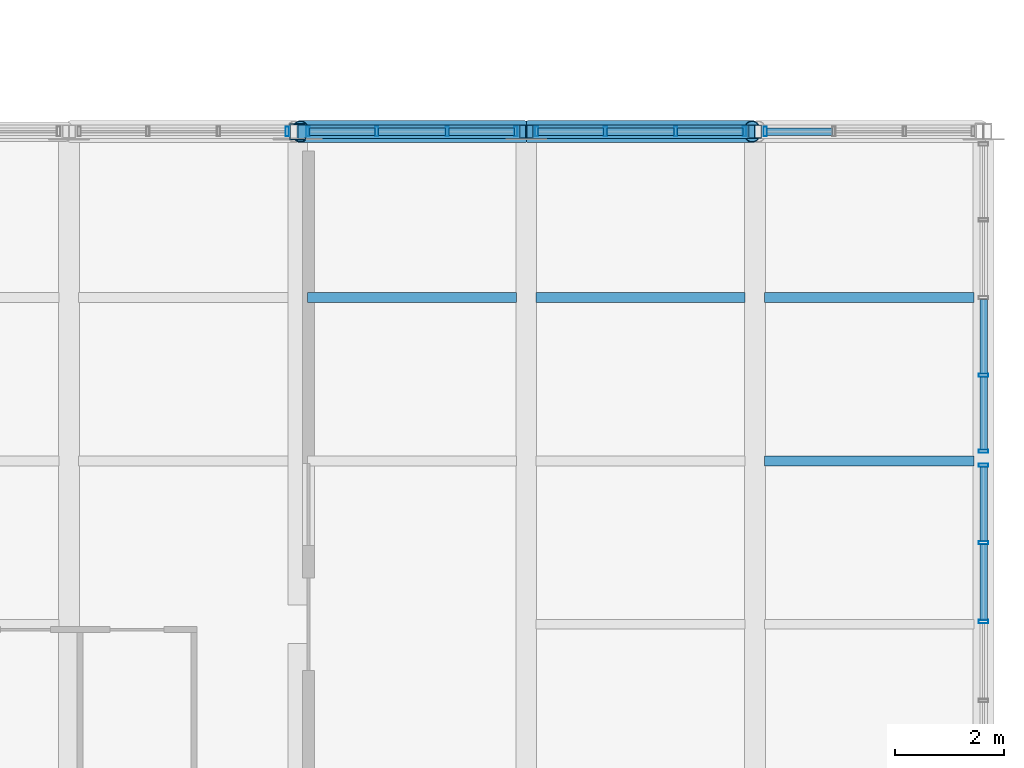
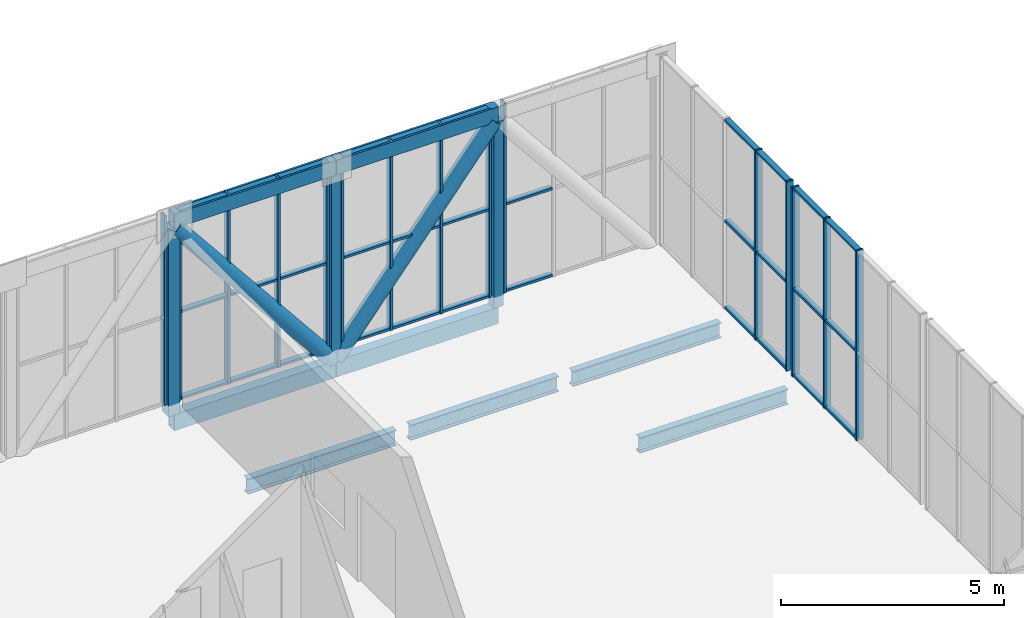
# One storey, part 41 of 58: 56 members, 4 beams, 6 elements without a shape of their own.
"""IFC4 building model written with IfcOpenShell, lengths in metres."""

from ifc_helpers import new_model, si_unit, direction, frame, origin, origin_2d, place, context, subcontext, project, spatial, hollow_rectangle, hollow_circle, i_section, extrude, material, material_profile, profile_set, type_object, element, aggregate, save


model = new_model("IFC4")

# Units and contexts
model_context = context("Model", 3, precision=1e-05, world=origin(), true_north=direction((0.0, 1.0)))
body_context = subcontext(model_context, "Body", "Model", "MODEL_VIEW")
ifc_project = project(units=[si_unit("LENGTHUNIT", "METRE"), si_unit("AREAUNIT", "SQUARE_METRE"), si_unit("VOLUMEUNIT", "CUBIC_METRE"), si_unit("PLANEANGLEUNIT", "RADIAN"), si_unit("MASSUNIT", "GRAM", prefix="KILO")], contexts=[model_context])

# Site, building, storey
site_placement = place(None, origin())
site = spatial("IfcSite", under=ifc_project, at=site_placement, CompositionType="ELEMENT")
building_placement = place(site_placement, origin())
building = spatial("IfcBuilding", under=site, at=building_placement, Name="Khurvash Pelagic Aquarium", CompositionType="ELEMENT")
storey_placement = place(building_placement, frame((0.0, 0.0, 24.60009765625)))
storey = spatial("IfcBuildingStorey", under=building, at=storey_placement, Name="L05", CompositionType="ELEMENT", Elevation=24.60009765625)

# Curtain wall, member
ifc_material_1 = material(Name="Anodised aluminium and low-E laminated glass", Category="aluminium")
curtain_wall_type_1 = type_object("IfcCurtainWallType", Name="CW-01", PredefinedType="USERDEFINED", material=ifc_material_1)
curtain_wall_1_placement = place(storey_placement, origin())
curtain_wall_1 = element("IfcCurtainWall", 1, at=curtain_wall_1_placement, inside=storey, type_object=curtain_wall_type_1, Name="L05 North Sky-Bar Unitised Curtain Wall CW-01 P23", ObjectType="UNITISED CURTAIN WALL", PredefinedType="USERDEFINED")
ifc_material_2 = material(Name="Extruded aluminium AW-6063-T6", Category="aluminium")
ifc_material_profile_1 = material_profile(ifc_material_2, hollow_rectangle(XDim=0.06005859375, YDim=0.179931640625, WallThickness=0.00390625, at=origin_2d()), Name="CWM60X180X4")
ifc_profile_set_1 = profile_set([ifc_material_profile_1], Name="Extruded aluminium AW-6063-T6")
member_type_1 = type_object("IfcMemberType", Name="CM-01", PredefinedType="MULLION", material=ifc_profile_set_1)
member_1_placement = place(storey_placement, frame((109.010009765625, 29.75, 0.0), z_axis=(0.0, 0.0, 1.0), x_axis=(1.0, 0.0, 0.0)))
member_1 = element("IfcMember", 2, at=member_1_placement, type_object=member_type_1, Name="CW-01 mullion 4", PredefinedType="MULLION", context=body_context, shape_type="SweptSolid", body=[
    extrude(hollow_rectangle(XDim=0.06005859375, YDim=0.179931640625, WallThickness=0.00390625, at=origin_2d()), origin(), (0.0, 0.0, 1.0), 5.179931640625),
])
aggregate(curtain_wall_1, [member_1])

# Curtain wall, members
curtain_wall_2_placement = place(storey_placement, origin())
curtain_wall_2 = element("IfcCurtainWall", 3, at=curtain_wall_2_placement, inside=storey, type_object=curtain_wall_type_1, Name="L05 North Sky-Bar Unitised Curtain Wall CW-01 P24", ObjectType="UNITISED CURTAIN WALL", PredefinedType="USERDEFINED")
member_2_placement = place(storey_placement, frame((109.389892578125, 29.75, 0.0), z_axis=(0.0, 0.0, 1.0), x_axis=(1.0, 0.0, 0.0)))
member_2 = element("IfcMember", 4, at=member_2_placement, type_object=member_type_1, Name="CW-01 mullion 1", PredefinedType="MULLION", context=body_context, shape_type="SweptSolid", body=[
    extrude(hollow_rectangle(XDim=0.06005859375, YDim=0.179931640625, WallThickness=0.00390625, at=origin_2d()), origin(), (0.0, 0.0, 1.0), 5.179931640625),
])
member_3_placement = place(storey_placement, frame((110.6533203125, 29.75, 0.0), z_axis=(0.0, 0.0, 1.0), x_axis=(1.0, 0.0, 0.0)))
member_3 = element("IfcMember", 5, at=member_3_placement, type_object=member_type_1, Name="CW-01 mullion 2", PredefinedType="MULLION", context=body_context, shape_type="SweptSolid", body=[
    extrude(hollow_rectangle(XDim=0.06005859375, YDim=0.179931640625, WallThickness=0.00390625, at=origin_2d()), origin(), (0.0, 0.0, 1.0), 5.179931640625),
])
member_4_placement = place(storey_placement, frame((111.94677734375, 29.75, 0.0), z_axis=(0.0, 0.0, 1.0), x_axis=(1.0, 0.0, 0.0)))
member_4 = element("IfcMember", 6, at=member_4_placement, type_object=member_type_1, Name="CW-01 mullion 3", PredefinedType="MULLION", context=body_context, shape_type="SweptSolid", body=[
    extrude(hollow_rectangle(XDim=0.06005859375, YDim=0.179931640625, WallThickness=0.00390625, at=origin_2d()), origin(), (0.0, 0.0, 1.0), 5.179931640625),
])
member_5_placement = place(storey_placement, frame((113.2099609375, 29.75, 0.0), z_axis=(0.0, 0.0, 1.0), x_axis=(1.0, 0.0, 0.0)))
member_5 = element("IfcMember", 7, at=member_5_placement, type_object=member_type_1, Name="CW-01 mullion 4", PredefinedType="MULLION", context=body_context, shape_type="SweptSolid", body=[
    extrude(hollow_rectangle(XDim=0.06005859375, YDim=0.179931640625, WallThickness=0.00390625, at=origin_2d()), origin(), (0.0, 0.0, 1.0), 5.179931640625),
])

curtain_wall_3_placement = place(storey_placement, origin())
curtain_wall_3 = element("IfcCurtainWall", 8, at=curtain_wall_3_placement, inside=storey, type_object=curtain_wall_type_1, Name="L05 North Sky-Bar Unitised Curtain Wall CW-01 P25", ObjectType="UNITISED CURTAIN WALL", PredefinedType="USERDEFINED")
member_6_placement = place(storey_placement, frame((113.590087890625, 29.75, 0.0), z_axis=(0.0, 0.0, 1.0), x_axis=(1.0, 0.0, 0.0)))
member_6 = element("IfcMember", 9, at=member_6_placement, type_object=member_type_1, Name="CW-01 mullion 1", PredefinedType="MULLION", context=body_context, shape_type="SweptSolid", body=[
    extrude(hollow_rectangle(XDim=0.06005859375, YDim=0.179931640625, WallThickness=0.00390625, at=origin_2d()), origin(), (0.0, 0.0, 1.0), 5.179931640625),
])
member_7_placement = place(storey_placement, frame((114.853271484375, 29.75, 0.0), z_axis=(0.0, 0.0, 1.0), x_axis=(1.0, 0.0, 0.0)))
member_7 = element("IfcMember", 10, at=member_7_placement, type_object=member_type_1, Name="CW-01 mullion 2", PredefinedType="MULLION", context=body_context, shape_type="SweptSolid", body=[
    extrude(hollow_rectangle(XDim=0.06005859375, YDim=0.179931640625, WallThickness=0.00390625, at=origin_2d()), origin(), (0.0, 0.0, 1.0), 5.179931640625),
])
member_8_placement = place(storey_placement, frame((116.146728515625, 29.75, 0.0), z_axis=(0.0, 0.0, 1.0), x_axis=(1.0, 0.0, 0.0)))
member_8 = element("IfcMember", 11, at=member_8_placement, type_object=member_type_1, Name="CW-01 mullion 3", PredefinedType="MULLION", context=body_context, shape_type="SweptSolid", body=[
    extrude(hollow_rectangle(XDim=0.06005859375, YDim=0.179931640625, WallThickness=0.00390625, at=origin_2d()), origin(), (0.0, 0.0, 1.0), 5.179931640625),
])
member_9_placement = place(storey_placement, frame((117.409912109375, 29.75, 0.0), z_axis=(0.0, 0.0, 1.0), x_axis=(1.0, 0.0, 0.0)))
member_9 = element("IfcMember", 12, at=member_9_placement, type_object=member_type_1, Name="CW-01 mullion 4", PredefinedType="MULLION", context=body_context, shape_type="SweptSolid", body=[
    extrude(hollow_rectangle(XDim=0.06005859375, YDim=0.179931640625, WallThickness=0.00390625, at=origin_2d()), origin(), (0.0, 0.0, 1.0), 5.179931640625),
])

# Curtain wall, member
curtain_wall_4_placement = place(storey_placement, origin())
curtain_wall_4 = element("IfcCurtainWall", 13, at=curtain_wall_4_placement, inside=storey, type_object=curtain_wall_type_1, Name="L05 North Sky-Bar Unitised Curtain Wall CW-01 P26", ObjectType="UNITISED CURTAIN WALL", PredefinedType="USERDEFINED")
member_10_placement = place(storey_placement, frame((117.7900390625, 29.75, 0.0), z_axis=(0.0, 0.0, 1.0), x_axis=(1.0, 0.0, 0.0)))
member_10 = element("IfcMember", 14, at=member_10_placement, type_object=member_type_1, Name="CW-01 mullion 1", PredefinedType="MULLION", context=body_context, shape_type="SweptSolid", body=[
    extrude(hollow_rectangle(XDim=0.06005859375, YDim=0.179931640625, WallThickness=0.00390625, at=origin_2d()), origin(), (0.0, 0.0, 1.0), 5.179931640625),
])

# Curtain wall, members
curtain_wall_type_2 = type_object("IfcCurtainWallType", Name="CW-04", PredefinedType="USERDEFINED", material=ifc_material_1)
curtain_wall_5_placement = place(storey_placement, origin())
curtain_wall_5 = element("IfcCurtainWall", 15, at=curtain_wall_5_placement, inside=storey, type_object=curtain_wall_type_2, Name="L05 East Cantilever Overlook Curtain Wall CW-04", ObjectType="UNITISED CURTAIN WALL", PredefinedType="USERDEFINED")
member_11_placement = place(storey_placement, frame((121.800048828125, 20.75, 0.0), z_axis=(0.0, 0.0, 1.0), x_axis=(0.0, 1.0, 0.0)))
member_11 = element("IfcMember", 16, at=member_11_placement, type_object=member_type_1, Name="CW-04 mullion 3", PredefinedType="MULLION", context=body_context, shape_type="SweptSolid", body=[
    extrude(hollow_rectangle(XDim=0.06005859375, YDim=0.179931640625, WallThickness=0.00390625, at=origin_2d()), origin(), (0.0, 0.0, 1.0), 5.179931640625),
])
member_12_placement = place(storey_placement, frame((121.800048828125, 22.199951171875, 0.0), z_axis=(0.0, 0.0, 1.0), x_axis=(0.0, 1.0, 0.0)))
member_12 = element("IfcMember", 17, at=member_12_placement, type_object=member_type_1, Name="CW-04 mullion 4", PredefinedType="MULLION", context=body_context, shape_type="SweptSolid", body=[
    extrude(hollow_rectangle(XDim=0.06005859375, YDim=0.179931640625, WallThickness=0.00390625, at=origin_2d()), origin(), (0.0, 0.0, 1.0), 5.179931640625),
])
member_13_placement = place(storey_placement, frame((121.800048828125, 23.6201171875, 0.0), z_axis=(0.0, 0.0, 1.0), x_axis=(0.0, 1.0, 0.0)))
member_13 = element("IfcMember", 18, at=member_13_placement, type_object=member_type_1, Name="CW-04 mullion 5", PredefinedType="MULLION", context=body_context, shape_type="SweptSolid", body=[
    extrude(hollow_rectangle(XDim=0.06005859375, YDim=0.179931640625, WallThickness=0.00390625, at=origin_2d()), origin(), (0.0, 0.0, 1.0), 5.179931640625),
])

curtain_wall_6_placement = place(storey_placement, origin())
curtain_wall_6 = element("IfcCurtainWall", 19, at=curtain_wall_6_placement, inside=storey, type_object=curtain_wall_type_2, Name="L05 East Cantilever Overlook Curtain Wall CW-04", ObjectType="UNITISED CURTAIN WALL", PredefinedType="USERDEFINED")
member_14_placement = place(storey_placement, frame((121.800048828125, 23.8798828125, 0.0), z_axis=(0.0, 0.0, 1.0), x_axis=(0.0, 1.0, 0.0)))
member_14 = element("IfcMember", 20, at=member_14_placement, type_object=member_type_1, Name="CW-04 mullion 1", PredefinedType="MULLION", context=body_context, shape_type="SweptSolid", body=[
    extrude(hollow_rectangle(XDim=0.06005859375, YDim=0.179931640625, WallThickness=0.00390625, at=origin_2d()), origin(), (0.0, 0.0, 1.0), 5.179931640625),
])
member_15_placement = place(storey_placement, frame((121.800048828125, 25.27490234375, 0.0), z_axis=(0.0, 0.0, 1.0), x_axis=(0.0, 1.0, 0.0)))
member_15 = element("IfcMember", 21, at=member_15_placement, type_object=member_type_1, Name="CW-04 mullion 2", PredefinedType="MULLION", context=body_context, shape_type="SweptSolid", body=[
    extrude(hollow_rectangle(XDim=0.06005859375, YDim=0.179931640625, WallThickness=0.00390625, at=origin_2d()), origin(), (0.0, 0.0, 1.0), 5.179931640625),
])

# Member
ifc_material_profile_2 = material_profile(ifc_material_2, hollow_rectangle(XDim=0.139892578125, YDim=0.06005859375, WallThickness=0.00390625, at=origin_2d()), Name="CWT140X60X4")
ifc_profile_set_2 = profile_set([ifc_material_profile_2], Name="Extruded aluminium AW-6063-T6")
member_type_2 = type_object("IfcMemberType", Name="CT-01", PredefinedType="USERDEFINED", material=ifc_profile_set_2)
member_16_placement = place(storey_placement, frame((109.419921875, 29.75, 0.02978515625), z_axis=(1.0, 0.0, 0.0), x_axis=(0.0, 1.0, 0.0)))
member_16 = element("IfcMember", 22, at=member_16_placement, type_object=member_type_2, Name="CW-01 transom 1.1", ObjectType="TRANSOM", PredefinedType="USERDEFINED", context=body_context, shape_type="SweptSolid", body=[
    extrude(hollow_rectangle(XDim=0.139892578125, YDim=0.06005859375, WallThickness=0.00390625, at=origin_2d()), origin(), (0.0, 0.0, 1.0), 1.203369140625),
])

member_17_placement = place(storey_placement, frame((109.419921875, 29.75, 2.39990234375), z_axis=(1.0, 0.0, 0.0), x_axis=(0.0, 1.0, 0.0)))
member_17 = element("IfcMember", 23, at=member_17_placement, type_object=member_type_2, Name="CW-01 transom 1.2", ObjectType="TRANSOM", PredefinedType="USERDEFINED", context=body_context, shape_type="SweptSolid", body=[
    extrude(hollow_rectangle(XDim=0.139892578125, YDim=0.06005859375, WallThickness=0.00390625, at=origin_2d()), origin(), (0.0, 0.0, 1.0), 1.203369140625),
])

member_18_placement = place(storey_placement, frame((109.419921875, 29.75, 5.14990234375), z_axis=(1.0, 0.0, 0.0), x_axis=(0.0, 1.0, 0.0)))
member_18 = element("IfcMember", 24, at=member_18_placement, type_object=member_type_2, Name="CW-01 transom 1.3", ObjectType="TRANSOM", PredefinedType="USERDEFINED", context=body_context, shape_type="SweptSolid", body=[
    extrude(hollow_rectangle(XDim=0.139892578125, YDim=0.06005859375, WallThickness=0.00390625, at=origin_2d()), origin(), (0.0, 0.0, 1.0), 1.203369140625),
])

member_19_placement = place(storey_placement, frame((110.683349609375, 29.75, 0.02978515625), z_axis=(1.0, 0.0, 0.0), x_axis=(0.0, 1.0, 0.0)))
member_19 = element("IfcMember", 25, at=member_19_placement, type_object=member_type_2, Name="CW-01 transom 2.1", ObjectType="TRANSOM", PredefinedType="USERDEFINED", context=body_context, shape_type="SweptSolid", body=[
    extrude(hollow_rectangle(XDim=0.139892578125, YDim=0.06005859375, WallThickness=0.00390625, at=origin_2d()), origin(), (0.0, 0.0, 1.0), 1.2333984375),
])

member_20_placement = place(storey_placement, frame((110.683349609375, 29.75, 2.39990234375), z_axis=(1.0, 0.0, 0.0), x_axis=(0.0, 1.0, 0.0)))
member_20 = element("IfcMember", 26, at=member_20_placement, type_object=member_type_2, Name="CW-01 transom 2.2", ObjectType="TRANSOM", PredefinedType="USERDEFINED", context=body_context, shape_type="SweptSolid", body=[
    extrude(hollow_rectangle(XDim=0.139892578125, YDim=0.06005859375, WallThickness=0.00390625, at=origin_2d()), origin(), (0.0, 0.0, 1.0), 1.2333984375),
])

member_21_placement = place(storey_placement, frame((110.683349609375, 29.75, 5.14990234375), z_axis=(1.0, 0.0, 0.0), x_axis=(0.0, 1.0, 0.0)))
member_21 = element("IfcMember", 27, at=member_21_placement, type_object=member_type_2, Name="CW-01 transom 2.3", ObjectType="TRANSOM", PredefinedType="USERDEFINED", context=body_context, shape_type="SweptSolid", body=[
    extrude(hollow_rectangle(XDim=0.139892578125, YDim=0.06005859375, WallThickness=0.00390625, at=origin_2d()), origin(), (0.0, 0.0, 1.0), 1.2333984375),
])

member_22_placement = place(storey_placement, frame((111.9765625, 29.75, 0.02978515625), z_axis=(1.0, 0.0, 0.0), x_axis=(0.0, 1.0, 0.0)))
member_22 = element("IfcMember", 28, at=member_22_placement, type_object=member_type_2, Name="CW-01 transom 3.1", ObjectType="TRANSOM", PredefinedType="USERDEFINED", context=body_context, shape_type="SweptSolid", body=[
    extrude(hollow_rectangle(XDim=0.139892578125, YDim=0.06005859375, WallThickness=0.00390625, at=origin_2d()), origin(), (0.0, 0.0, 1.0), 1.203369140625),
])

member_23_placement = place(storey_placement, frame((111.9765625, 29.75, 2.39990234375), z_axis=(1.0, 0.0, 0.0), x_axis=(0.0, 1.0, 0.0)))
member_23 = element("IfcMember", 29, at=member_23_placement, type_object=member_type_2, Name="CW-01 transom 3.2", ObjectType="TRANSOM", PredefinedType="USERDEFINED", context=body_context, shape_type="SweptSolid", body=[
    extrude(hollow_rectangle(XDim=0.139892578125, YDim=0.06005859375, WallThickness=0.00390625, at=origin_2d()), origin(), (0.0, 0.0, 1.0), 1.203369140625),
])

member_24_placement = place(storey_placement, frame((111.9765625, 29.75, 5.14990234375), z_axis=(1.0, 0.0, 0.0), x_axis=(0.0, 1.0, 0.0)))
member_24 = element("IfcMember", 30, at=member_24_placement, type_object=member_type_2, Name="CW-01 transom 3.3", ObjectType="TRANSOM", PredefinedType="USERDEFINED", context=body_context, shape_type="SweptSolid", body=[
    extrude(hollow_rectangle(XDim=0.139892578125, YDim=0.06005859375, WallThickness=0.00390625, at=origin_2d()), origin(), (0.0, 0.0, 1.0), 1.203369140625),
])

aggregate(curtain_wall_2, [member_2, member_3, member_4, member_5, member_16, member_17, member_18, member_19, member_20, member_21, member_22, member_23, member_24])

member_25_placement = place(storey_placement, frame((113.6201171875, 29.75, 0.02978515625), z_axis=(1.0, 0.0, 0.0), x_axis=(0.0, 1.0, 0.0)))
member_25 = element("IfcMember", 31, at=member_25_placement, type_object=member_type_2, Name="CW-01 transom 1.1", ObjectType="TRANSOM", PredefinedType="USERDEFINED", context=body_context, shape_type="SweptSolid", body=[
    extrude(hollow_rectangle(XDim=0.139892578125, YDim=0.06005859375, WallThickness=0.00390625, at=origin_2d()), origin(), (0.0, 0.0, 1.0), 1.203125),
])

member_26_placement = place(storey_placement, frame((113.6201171875, 29.75, 2.39990234375), z_axis=(1.0, 0.0, 0.0), x_axis=(0.0, 1.0, 0.0)))
member_26 = element("IfcMember", 32, at=member_26_placement, type_object=member_type_2, Name="CW-01 transom 1.2", ObjectType="TRANSOM", PredefinedType="USERDEFINED", context=body_context, shape_type="SweptSolid", body=[
    extrude(hollow_rectangle(XDim=0.139892578125, YDim=0.06005859375, WallThickness=0.00390625, at=origin_2d()), origin(), (0.0, 0.0, 1.0), 1.203125),
])

member_27_placement = place(storey_placement, frame((113.6201171875, 29.75, 5.14990234375), z_axis=(1.0, 0.0, 0.0), x_axis=(0.0, 1.0, 0.0)))
member_27 = element("IfcMember", 33, at=member_27_placement, type_object=member_type_2, Name="CW-01 transom 1.3", ObjectType="TRANSOM", PredefinedType="USERDEFINED", context=body_context, shape_type="SweptSolid", body=[
    extrude(hollow_rectangle(XDim=0.139892578125, YDim=0.06005859375, WallThickness=0.00390625, at=origin_2d()), origin(), (0.0, 0.0, 1.0), 1.203125),
])

member_28_placement = place(storey_placement, frame((114.88330078125, 29.75, 0.02978515625), z_axis=(1.0, 0.0, 0.0), x_axis=(0.0, 1.0, 0.0)))
member_28 = element("IfcMember", 34, at=member_28_placement, type_object=member_type_2, Name="CW-01 transom 2.1", ObjectType="TRANSOM", PredefinedType="USERDEFINED", context=body_context, shape_type="SweptSolid", body=[
    extrude(hollow_rectangle(XDim=0.139892578125, YDim=0.06005859375, WallThickness=0.00390625, at=origin_2d()), origin(), (0.0, 0.0, 1.0), 1.2333984375),
])

member_29_placement = place(storey_placement, frame((114.88330078125, 29.75, 2.39990234375), z_axis=(1.0, 0.0, 0.0), x_axis=(0.0, 1.0, 0.0)))
member_29 = element("IfcMember", 35, at=member_29_placement, type_object=member_type_2, Name="CW-01 transom 2.2", ObjectType="TRANSOM", PredefinedType="USERDEFINED", context=body_context, shape_type="SweptSolid", body=[
    extrude(hollow_rectangle(XDim=0.139892578125, YDim=0.06005859375, WallThickness=0.00390625, at=origin_2d()), origin(), (0.0, 0.0, 1.0), 1.2333984375),
])

member_30_placement = place(storey_placement, frame((114.88330078125, 29.75, 5.14990234375), z_axis=(1.0, 0.0, 0.0), x_axis=(0.0, 1.0, 0.0)))
member_30 = element("IfcMember", 36, at=member_30_placement, type_object=member_type_2, Name="CW-01 transom 2.3", ObjectType="TRANSOM", PredefinedType="USERDEFINED", context=body_context, shape_type="SweptSolid", body=[
    extrude(hollow_rectangle(XDim=0.139892578125, YDim=0.06005859375, WallThickness=0.00390625, at=origin_2d()), origin(), (0.0, 0.0, 1.0), 1.2333984375),
])

member_31_placement = place(storey_placement, frame((116.1767578125, 29.75, 0.02978515625), z_axis=(1.0, 0.0, 0.0), x_axis=(0.0, 1.0, 0.0)))
member_31 = element("IfcMember", 37, at=member_31_placement, type_object=member_type_2, Name="CW-01 transom 3.1", ObjectType="TRANSOM", PredefinedType="USERDEFINED", context=body_context, shape_type="SweptSolid", body=[
    extrude(hollow_rectangle(XDim=0.139892578125, YDim=0.06005859375, WallThickness=0.00390625, at=origin_2d()), origin(), (0.0, 0.0, 1.0), 1.203125),
])

member_32_placement = place(storey_placement, frame((116.1767578125, 29.75, 2.39990234375), z_axis=(1.0, 0.0, 0.0), x_axis=(0.0, 1.0, 0.0)))
member_32 = element("IfcMember", 38, at=member_32_placement, type_object=member_type_2, Name="CW-01 transom 3.2", ObjectType="TRANSOM", PredefinedType="USERDEFINED", context=body_context, shape_type="SweptSolid", body=[
    extrude(hollow_rectangle(XDim=0.139892578125, YDim=0.06005859375, WallThickness=0.00390625, at=origin_2d()), origin(), (0.0, 0.0, 1.0), 1.203125),
])

member_33_placement = place(storey_placement, frame((116.1767578125, 29.75, 5.14990234375), z_axis=(1.0, 0.0, 0.0), x_axis=(0.0, 1.0, 0.0)))
member_33 = element("IfcMember", 39, at=member_33_placement, type_object=member_type_2, Name="CW-01 transom 3.3", ObjectType="TRANSOM", PredefinedType="USERDEFINED", context=body_context, shape_type="SweptSolid", body=[
    extrude(hollow_rectangle(XDim=0.139892578125, YDim=0.06005859375, WallThickness=0.00390625, at=origin_2d()), origin(), (0.0, 0.0, 1.0), 1.203125),
])

aggregate(curtain_wall_3, [member_6, member_7, member_8, member_9, member_25, member_26, member_27, member_28, member_29, member_30, member_31, member_32, member_33])

member_34_placement = place(storey_placement, frame((117.820068359375, 29.75, 0.02978515625), z_axis=(1.0, 0.0, 0.0), x_axis=(0.0, 1.0, 0.0)))
member_34 = element("IfcMember", 40, at=member_34_placement, type_object=member_type_2, Name="CW-01 transom 1.1", ObjectType="TRANSOM", PredefinedType="USERDEFINED", context=body_context, shape_type="SweptSolid", body=[
    extrude(hollow_rectangle(XDim=0.139892578125, YDim=0.06005859375, WallThickness=0.00390625, at=origin_2d()), origin(), (0.0, 0.0, 1.0), 1.203369140625),
])

member_35_placement = place(storey_placement, frame((117.820068359375, 29.75, 2.39990234375), z_axis=(1.0, 0.0, 0.0), x_axis=(0.0, 1.0, 0.0)))
member_35 = element("IfcMember", 41, at=member_35_placement, type_object=member_type_2, Name="CW-01 transom 1.2", ObjectType="TRANSOM", PredefinedType="USERDEFINED", context=body_context, shape_type="SweptSolid", body=[
    extrude(hollow_rectangle(XDim=0.139892578125, YDim=0.06005859375, WallThickness=0.00390625, at=origin_2d()), origin(), (0.0, 0.0, 1.0), 1.203369140625),
])

aggregate(curtain_wall_4, [member_10, member_34, member_35])

member_36_placement = place(storey_placement, frame((121.800048828125, 20.780029296875, 0.02978515625), z_axis=(0.0, 1.0, 0.0), x_axis=(-1.0, 0.0, 0.0)))
member_36 = element("IfcMember", 42, at=member_36_placement, type_object=member_type_2, Name="CW-04 transom 3.1", ObjectType="TRANSOM", PredefinedType="USERDEFINED", context=body_context, shape_type="SweptSolid", body=[
    extrude(hollow_rectangle(XDim=0.139892578125, YDim=0.06005859375, WallThickness=0.00390625, at=origin_2d()), origin(), (0.0, 0.0, 1.0), 1.389892578125),
])

member_37_placement = place(storey_placement, frame((121.800048828125, 20.780029296875, 2.39990234375), z_axis=(0.0, 1.0, 0.0), x_axis=(-1.0, 0.0, 0.0)))
member_37 = element("IfcMember", 43, at=member_37_placement, type_object=member_type_2, Name="CW-04 transom 3.2", ObjectType="TRANSOM", PredefinedType="USERDEFINED", context=body_context, shape_type="SweptSolid", body=[
    extrude(hollow_rectangle(XDim=0.139892578125, YDim=0.06005859375, WallThickness=0.00390625, at=origin_2d()), origin(), (0.0, 0.0, 1.0), 1.389892578125),
])

member_38_placement = place(storey_placement, frame((121.800048828125, 20.780029296875, 5.14990234375), z_axis=(0.0, 1.0, 0.0), x_axis=(-1.0, 0.0, 0.0)))
member_38 = element("IfcMember", 44, at=member_38_placement, type_object=member_type_2, Name="CW-04 transom 3.3", ObjectType="TRANSOM", PredefinedType="USERDEFINED", context=body_context, shape_type="SweptSolid", body=[
    extrude(hollow_rectangle(XDim=0.139892578125, YDim=0.06005859375, WallThickness=0.00390625, at=origin_2d()), origin(), (0.0, 0.0, 1.0), 1.389892578125),
])

member_39_placement = place(storey_placement, frame((121.800048828125, 22.22998046875, 0.02978515625), z_axis=(0.0, 1.0, 0.0), x_axis=(-1.0, 0.0, 0.0)))
member_39 = element("IfcMember", 45, at=member_39_placement, type_object=member_type_2, Name="CW-04 transom 4.1", ObjectType="TRANSOM", PredefinedType="USERDEFINED", context=body_context, shape_type="SweptSolid", body=[
    extrude(hollow_rectangle(XDim=0.139892578125, YDim=0.06005859375, WallThickness=0.00390625, at=origin_2d()), origin(), (0.0, 0.0, 1.0), 1.360107421875),
])

member_40_placement = place(storey_placement, frame((121.800048828125, 22.22998046875, 2.39990234375), z_axis=(0.0, 1.0, 0.0), x_axis=(-1.0, 0.0, 0.0)))
member_40 = element("IfcMember", 46, at=member_40_placement, type_object=member_type_2, Name="CW-04 transom 4.2", ObjectType="TRANSOM", PredefinedType="USERDEFINED", context=body_context, shape_type="SweptSolid", body=[
    extrude(hollow_rectangle(XDim=0.139892578125, YDim=0.06005859375, WallThickness=0.00390625, at=origin_2d()), origin(), (0.0, 0.0, 1.0), 1.360107421875),
])

member_41_placement = place(storey_placement, frame((121.800048828125, 22.22998046875, 5.14990234375), z_axis=(0.0, 1.0, 0.0), x_axis=(-1.0, 0.0, 0.0)))
member_41 = element("IfcMember", 47, at=member_41_placement, type_object=member_type_2, Name="CW-04 transom 4.3", ObjectType="TRANSOM", PredefinedType="USERDEFINED", context=body_context, shape_type="SweptSolid", body=[
    extrude(hollow_rectangle(XDim=0.139892578125, YDim=0.06005859375, WallThickness=0.00390625, at=origin_2d()), origin(), (0.0, 0.0, 1.0), 1.360107421875),
])

aggregate(curtain_wall_5, [member_11, member_12, member_13, member_36, member_37, member_38, member_39, member_40, member_41])

member_42_placement = place(storey_placement, frame((121.800048828125, 23.909912109375, 0.02978515625), z_axis=(0.0, 1.0, 0.0), x_axis=(-1.0, 0.0, 0.0)))
member_42 = element("IfcMember", 48, at=member_42_placement, type_object=member_type_2, Name="CW-04 transom 1.1", ObjectType="TRANSOM", PredefinedType="USERDEFINED", context=body_context, shape_type="SweptSolid", body=[
    extrude(hollow_rectangle(XDim=0.139892578125, YDim=0.06005859375, WallThickness=0.00390625, at=origin_2d()), origin(), (0.0, 0.0, 1.0), 1.335205078125),
])

member_43_placement = place(storey_placement, frame((121.800048828125, 23.909912109375, 2.39990234375), z_axis=(0.0, 1.0, 0.0), x_axis=(-1.0, 0.0, 0.0)))
member_43 = element("IfcMember", 49, at=member_43_placement, type_object=member_type_2, Name="CW-04 transom 1.2", ObjectType="TRANSOM", PredefinedType="USERDEFINED", context=body_context, shape_type="SweptSolid", body=[
    extrude(hollow_rectangle(XDim=0.139892578125, YDim=0.06005859375, WallThickness=0.00390625, at=origin_2d()), origin(), (0.0, 0.0, 1.0), 1.335205078125),
])

member_44_placement = place(storey_placement, frame((121.800048828125, 23.909912109375, 5.14990234375), z_axis=(0.0, 1.0, 0.0), x_axis=(-1.0, 0.0, 0.0)))
member_44 = element("IfcMember", 50, at=member_44_placement, type_object=member_type_2, Name="CW-04 transom 1.3", ObjectType="TRANSOM", PredefinedType="USERDEFINED", context=body_context, shape_type="SweptSolid", body=[
    extrude(hollow_rectangle(XDim=0.139892578125, YDim=0.06005859375, WallThickness=0.00390625, at=origin_2d()), origin(), (0.0, 0.0, 1.0), 1.335205078125),
])

member_45_placement = place(storey_placement, frame((121.800048828125, 25.304931640625, 0.02978515625), z_axis=(0.0, 1.0, 0.0), x_axis=(-1.0, 0.0, 0.0)))
member_45 = element("IfcMember", 51, at=member_45_placement, type_object=member_type_2, Name="CW-04 transom 2.1", ObjectType="TRANSOM", PredefinedType="USERDEFINED", context=body_context, shape_type="SweptSolid", body=[
    extrude(hollow_rectangle(XDim=0.139892578125, YDim=0.06005859375, WallThickness=0.00390625, at=origin_2d()), origin(), (0.0, 0.0, 1.0), 1.364990234375),
])

member_46_placement = place(storey_placement, frame((121.800048828125, 25.304931640625, 2.39990234375), z_axis=(0.0, 1.0, 0.0), x_axis=(-1.0, 0.0, 0.0)))
member_46 = element("IfcMember", 52, at=member_46_placement, type_object=member_type_2, Name="CW-04 transom 2.2", ObjectType="TRANSOM", PredefinedType="USERDEFINED", context=body_context, shape_type="SweptSolid", body=[
    extrude(hollow_rectangle(XDim=0.139892578125, YDim=0.06005859375, WallThickness=0.00390625, at=origin_2d()), origin(), (0.0, 0.0, 1.0), 1.364990234375),
])

member_47_placement = place(storey_placement, frame((121.800048828125, 25.304931640625, 5.14990234375), z_axis=(0.0, 1.0, 0.0), x_axis=(-1.0, 0.0, 0.0)))
member_47 = element("IfcMember", 53, at=member_47_placement, type_object=member_type_2, Name="CW-04 transom 2.3", ObjectType="TRANSOM", PredefinedType="USERDEFINED", context=body_context, shape_type="SweptSolid", body=[
    extrude(hollow_rectangle(XDim=0.139892578125, YDim=0.06005859375, WallThickness=0.00390625, at=origin_2d()), origin(), (0.0, 0.0, 1.0), 1.364990234375),
])

aggregate(curtain_wall_6, [member_14, member_15, member_42, member_43, member_44, member_45, member_46, member_47])

# Beams
ifc_material_3 = material(Name="Steel ASTM A992 Grade 50", Category="steel")
ifc_material_profile_3 = material_profile(ifc_material_3, i_section(OverallWidth=0.180908203125, OverallDepth=0.4169921875, WebThickness=0.010986328125, FlangeThickness=0.018310546875, at=origin_2d()), Name="W16X57")
ifc_profile_set_3 = profile_set([ifc_material_profile_3], Name="Steel ASTM A992 Grade 50")
beam_type = type_object("IfcBeamType", Name="JS-03", PredefinedType="JOIST", material=ifc_profile_set_3)
beam_1_placement = place(storey_placement, frame((109.3798828125, 26.699951171875, -0.508544921875), z_axis=(1.0, 0.0, 0.0), x_axis=(0.0, 1.0, 0.0)))
element("IfcBeam", 54, at=beam_1_placement, inside=storey, type_object=beam_type, Name="L05 Sky-Bar Floor Joist JS-03 P24", PredefinedType="JOIST", context=body_context, shape_type="SweptSolid", body=[
    extrude(i_section(OverallWidth=0.180908203125, OverallDepth=0.4169921875, WebThickness=0.010986328125, FlangeThickness=0.018310546875, at=origin_2d()), origin(), (0.0, 0.0, 1.0), 3.840087890625),
])
beam_2_placement = place(storey_placement, frame((113.580078125, 26.699951171875, -0.508544921875), z_axis=(1.0, 0.0, 0.0), x_axis=(0.0, 1.0, 0.0)))
element("IfcBeam", 55, at=beam_2_placement, inside=storey, type_object=beam_type, Name="L05 Sky-Bar Floor Joist JS-03 P25", PredefinedType="JOIST", context=body_context, shape_type="SweptSolid", body=[
    extrude(i_section(OverallWidth=0.180908203125, OverallDepth=0.4169921875, WebThickness=0.010986328125, FlangeThickness=0.018310546875, at=origin_2d()), origin(), (0.0, 0.0, 1.0), 3.83984375),
])
for number, where, z_axis, x_axis, name in (
    (56, (117.780029296875, 23.699951171875, -0.508544921875), (1.0, 0.0, 0.0), (0.0, 1.0, 0.0), "L05 Sky-Bar Floor Joist JS-03 P26"),
    (57, (117.780029296875, 26.699951171875, -0.508544921875), (1.0, 0.0, 0.0), (0.0, 1.0, 0.0), "L05 Sky-Bar Floor Joist JS-03 P26"),
):
    element("IfcBeam", number, at=place(storey_placement, frame(where, z_axis=z_axis, x_axis=x_axis)), inside=storey, type_object=beam_type, Name=name, PredefinedType="JOIST", context=body_context, shape_type="SweptSolid", body=[
        extrude(i_section(OverallWidth=0.180908203125, OverallDepth=0.4169921875, WebThickness=0.010986328125, FlangeThickness=0.018310546875, at=origin_2d()), origin(), (0.0, 0.0, 1.0), 3.840087890625),
    ])

# Members
ifc_material_4 = material(Name="Steel S355J2", Category="steel")
ifc_material_profile_4 = material_profile(ifc_material_4, hollow_rectangle(XDim=0.25, YDim=0.449951171875, WallThickness=0.02001953125, at=origin_2d()), Name="RHS450X250X20")
ifc_profile_set_4 = profile_set([ifc_material_profile_4], Name="Steel S355J2")
member_type_3 = type_object("IfcMemberType", Name="TC-01", PredefinedType="CHORD", material=ifc_profile_set_4)
member_48_placement = place(storey_placement, frame((109.2099609375, 29.75, -0.525146484375), z_axis=(1.0, 0.0, 0.0), x_axis=(0.0, 1.0, 0.0)))
element("IfcMember", 58, at=member_48_placement, inside=storey, type_object=member_type_3, Name="L05 North Sky-Bar Warren Truss Bottom Chord TC-01 P24", PredefinedType="CHORD", context=body_context, shape_type="SweptSolid", body=[
    extrude(hollow_rectangle(XDim=0.25, YDim=0.449951171875, WallThickness=0.02001953125, at=origin_2d()), origin(), (0.0, 0.0, 1.0), 4.179931640625),
])
member_49_placement = place(storey_placement, frame((113.409912109375, 29.75, -0.525146484375), z_axis=(1.0, 0.0, 0.0), x_axis=(0.0, 1.0, 0.0)))
element("IfcMember", 59, at=member_49_placement, inside=storey, type_object=member_type_3, Name="L05 North Sky-Bar Warren Truss Bottom Chord TC-01 P25", PredefinedType="CHORD", context=body_context, shape_type="SweptSolid", body=[
    extrude(hollow_rectangle(XDim=0.25, YDim=0.449951171875, WallThickness=0.02001953125, at=origin_2d()), origin(), (0.0, 0.0, 1.0), 4.18017578125),
])
ifc_material_profile_5 = material_profile(ifc_material_4, hollow_rectangle(XDim=0.25, YDim=0.39990234375, WallThickness=0.01611328125, at=origin_2d()), Name="RHS400X250X16")
ifc_profile_set_5 = profile_set([ifc_material_profile_5], Name="Steel S355J2")
member_type_4 = type_object("IfcMemberType", Name="TC-02", PredefinedType="CHORD", material=ifc_profile_set_5)
member_50_placement = place(storey_placement, frame((109.2099609375, 29.75, 4.97998046875), z_axis=(1.0, 0.0, 0.0), x_axis=(0.0, 1.0, 0.0)))
element("IfcMember", 60, at=member_50_placement, inside=storey, type_object=member_type_4, Name="L05 North Sky-Bar Warren Truss Top Chord TC-02 P24", PredefinedType="CHORD", context=body_context, shape_type="SweptSolid", body=[
    extrude(hollow_rectangle(XDim=0.25, YDim=0.39990234375, WallThickness=0.01611328125, at=origin_2d()), origin(), (0.0, 0.0, 1.0), 4.179931640625),
])
member_51_placement = place(storey_placement, frame((113.409912109375, 29.75, 4.97998046875), z_axis=(1.0, 0.0, 0.0), x_axis=(0.0, 1.0, 0.0)))
element("IfcMember", 61, at=member_51_placement, inside=storey, type_object=member_type_4, Name="L05 North Sky-Bar Warren Truss Top Chord TC-02 P25", PredefinedType="CHORD", context=body_context, shape_type="SweptSolid", body=[
    extrude(hollow_rectangle(XDim=0.25, YDim=0.39990234375, WallThickness=0.01611328125, at=origin_2d()), origin(), (0.0, 0.0, 1.0), 4.18017578125),
])
ifc_material_profile_6 = material_profile(ifc_material_4, hollow_circle(Radius=0.203125, WallThickness=0.01611328125, at=origin_2d()), Name="CHS406X16")
ifc_profile_set_6 = profile_set([ifc_material_profile_6], Name="Steel S355J2")
member_type_5 = type_object("IfcMemberType", Name="TD-01", PredefinedType="BRACE", material=ifc_profile_set_6)
for number, where, z_axis, x_axis, name in (
    (62, (109.25, 29.75, 4.77978515625), (0.628073304864, 0.0, -0.778154177343), (0.0, 1.0, 0.0), "L05 North Sky-Bar Warren Truss Diagonal TD-01 P24"),
    (63, (113.449951171875, 29.75, -0.300048828125), (0.628073304864, 0.0, 0.778154177343), (0.0, 1.0, 0.0), "L05 North Sky-Bar Warren Truss Diagonal TD-01 P25"),
):
    element("IfcMember", number, at=place(storey_placement, frame(where, z_axis=z_axis, x_axis=x_axis)), inside=storey, type_object=member_type_5, Name=name, PredefinedType="BRACE", context=body_context, shape_type="SweptSolid", body=[
        extrude(hollow_circle(Radius=0.203125, WallThickness=0.01611328125, at=origin_2d()), origin(), (0.0, 0.0, 1.0), 6.528076171875),
    ])
ifc_material_profile_7 = material_profile(ifc_material_4, hollow_rectangle(XDim=0.300048828125, YDim=0.300048828125, WallThickness=0.01611328125, at=origin_2d()), Name="SHS300X300X16")
ifc_profile_set_7 = profile_set([ifc_material_profile_7], Name="Steel S355J2")
member_type_6 = type_object("IfcMemberType", Name="TV-01", PredefinedType="POST", material=ifc_profile_set_7)
member_52_placement = place(storey_placement, frame((109.199951171875, 29.75, -0.300048828125), z_axis=(0.0, 0.0, 1.0), x_axis=(1.0, 0.0, 0.0)))
element("IfcMember", 64, at=member_52_placement, inside=storey, type_object=member_type_6, Name="L05 North Sky-Bar Truss Post TV-01 N24", PredefinedType="POST", context=body_context, shape_type="SweptSolid", body=[
    extrude(hollow_rectangle(XDim=0.300048828125, YDim=0.300048828125, WallThickness=0.01611328125, at=origin_2d()), origin(), (0.0, 0.0, 1.0), 5.079833984375),
])
ifc_material_profile_8 = material_profile(ifc_material_4, hollow_rectangle(XDim=0.25, YDim=0.25, WallThickness=0.012451171875, at=origin_2d()), Name="SHS250X250X12")
ifc_profile_set_8 = profile_set([ifc_material_profile_8], Name="Steel S355J2")
member_type_7 = type_object("IfcMemberType", Name="TV-02", PredefinedType="POST", material=ifc_profile_set_8)
for number, where, z_axis, x_axis, name in (
    (65, (113.39990234375, 29.75, -0.300048828125), (0.0, 0.0, 1.0), (1.0, 0.0, 0.0), "L05 North Sky-Bar Truss Post TV-02 N25"),
    (66, (117.60009765625, 29.75, -0.300048828125), (0.0, 0.0, 1.0), (1.0, 0.0, 0.0), "L05 North Sky-Bar Truss Post TV-02 N26"),
):
    element("IfcMember", number, at=place(storey_placement, frame(where, z_axis=z_axis, x_axis=x_axis)), inside=storey, type_object=member_type_7, Name=name, PredefinedType="POST", context=body_context, shape_type="SweptSolid", body=[
        extrude(hollow_rectangle(XDim=0.25, YDim=0.25, WallThickness=0.012451171875, at=origin_2d()), origin(), (0.0, 0.0, 1.0), 5.079833984375),
    ])

save(model, "model.ifc")
